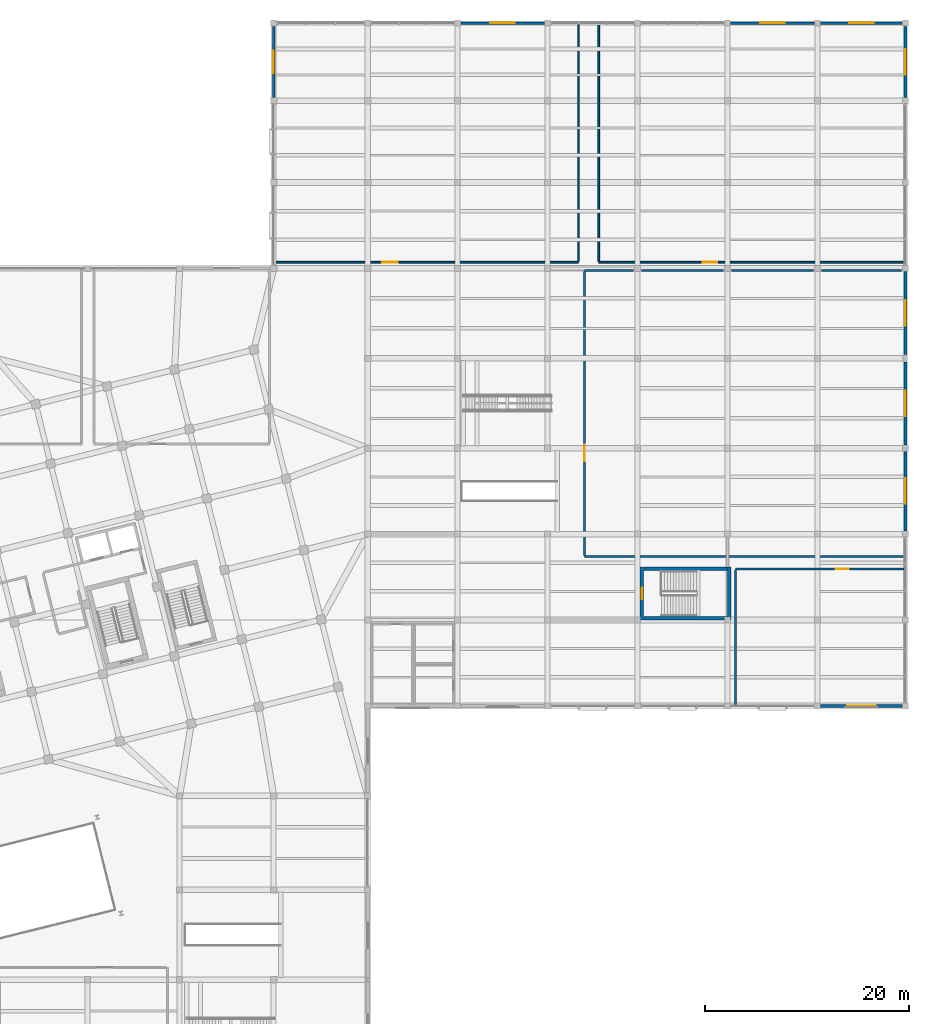
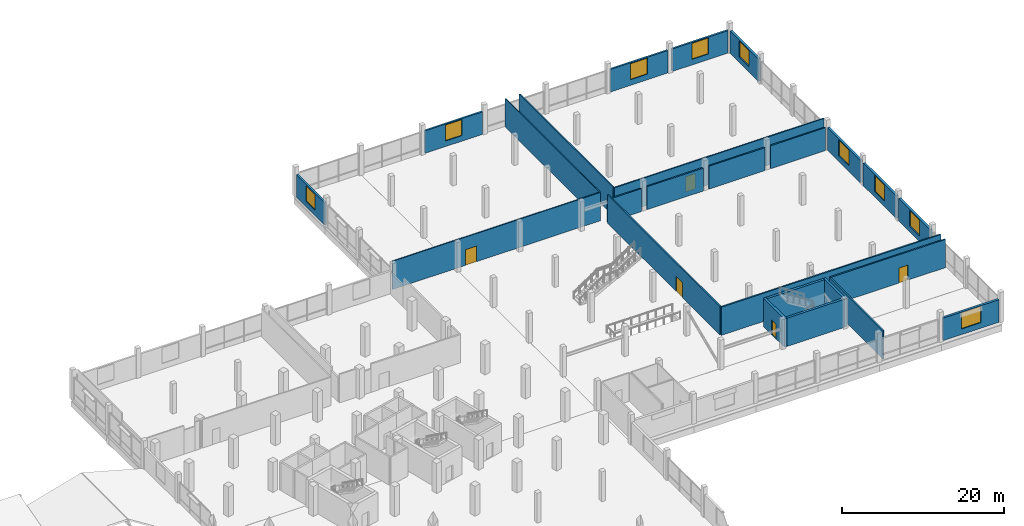
# One storey, part 69 of 77: 25 walls, 9 windows, 5 doors, 14 openings.
"""IFC4 building model written with IfcOpenShell, lengths in metres."""

from ifc_helpers import new_model, si_unit, direction, frame, frame_2d, origin, place, context, subcontext, project, spatial, rectangle, extrude, material, layer, layer_set, type_object, element, fill, save


model = new_model("IFC4")

# Units and contexts
model_context = context("Model", 3, precision=1e-05, world=origin(), true_north=direction((0.0, 1.0)))
body_context = subcontext(model_context, "Body", "Model", "MODEL_VIEW")
ifc_project = project(units=[si_unit("LENGTHUNIT", "METRE"), si_unit("AREAUNIT", "SQUARE_METRE"), si_unit("VOLUMEUNIT", "CUBIC_METRE"), si_unit("PLANEANGLEUNIT", "RADIAN"), si_unit("MASSUNIT", "GRAM", prefix="KILO")], contexts=[model_context])

# Site, building, storey
site_placement = place(None, origin())
site = spatial("IfcSite", under=ifc_project, at=site_placement, CompositionType="ELEMENT")
building_placement = place(site_placement, origin())
building = spatial("IfcBuilding", under=site, at=building_placement, Name="Meriwether Solvik Hall", CompositionType="ELEMENT")
storey_placement = place(building_placement, frame((0.0, 0.0, 9.89990234375)))
storey = spatial("IfcBuildingStorey", under=building, at=storey_placement, Name="L02", CompositionType="ELEMENT", Elevation=9.89990234375)

# Wall, opening, door
ifc_material_1 = material(Name="Double-Layer Acoustic Gypsum Board", Category="gypsum")
ifc_layer_1 = layer(ifc_material_1, 0.1650390625)
ifc_layer_set_1 = layer_set([ifc_layer_1], Name="Double-Layer Acoustic Gypsum Board")
wall_type_1 = type_object("IfcWallType", Name="WALL-DEM-165", PredefinedType="PARTITIONING", material=ifc_layer_set_1)
wall_1_placement = place(storey_placement, frame((136.800048828125, 93.39990234375, 0.0), z_axis=(0.0, 0.0, 1.0), x_axis=(1.0, 0.0, 0.0)))
wall_1 = element("IfcWall", 1, at=wall_1_placement, inside=storey, type_object=wall_type_1, Name="L02 Interior Partition lib_cat_s", PredefinedType="PARTITIONING", context=body_context, shape_type="SweptSolid", body=[
    extrude(rectangle(XDim=29.849853515625, YDim=0.1650390625, at=frame_2d((14.9248046875, 0.0))), origin(), (0.0, 0.0, 1.0), 4.255126953125),
])
opening_1_placement = place(wall_1_placement, frame((10.15966796875, 0.0, 0.0)))
opening_1 = element("IfcOpeningElement", 2, at=opening_1_placement, cuts=wall_1, Name="Opening D-152", PredefinedType="OPENING", context=body_context, shape_type="SweptSolid", body=[
    extrude(rectangle(XDim=1.449951171875, YDim=2.35009765625, at=frame_2d((0.72509765625, 1.175048828125))), frame((0.0, 0.094482421875, 0.0), z_axis=(0.0, -1.0, 0.0), x_axis=(1.0, 0.0, 0.0)), (0.0, 0.0, 1.0), 0.18896484375),
])
ifc_material_2 = material(Name="Laminated Vision Glass and Solid White Oak Timber", Category="wood")
door_type_1 = type_object("IfcDoorType", Name="DR-CONF-1450", OperationType="DOUBLE_DOOR_SINGLE_SWING", PredefinedType="DOOR", material=ifc_material_2)
door_1_placement = place(opening_1_placement, origin())
door_1 = element("IfcDoor", 3, at=door_1_placement, inside=storey, type_object=door_type_1, Name="Library Cataloging and Acquisitions Office Door", OperationType="DOUBLE_DOOR_SINGLE_SWING", OverallHeight=2.35009765625, OverallWidth=1.449951171875, PredefinedType="DOOR", context=body_context, shape_type="SweptSolid", body=[
    extrude(rectangle(XDim=1.449951171875, YDim=2.35009765625, at=frame_2d((0.72509765625, 1.175048828125))), frame((0.0, 0.02490234375, 0.0), z_axis=(0.0, -1.0, 0.0), x_axis=(1.0, 0.0, 0.0)), (0.0, 0.0, 1.0), 0.050048828125),
])
fill(opening_1, door_1)

# Wall
wall_2_placement = place(storey_placement, frame((136.800048828125, 116.64990234375, 0.0), z_axis=(0.0, 0.0, 1.0), x_axis=(0.0, -1.0, 0.0)))
element("IfcWall", 4, at=wall_2_placement, inside=storey, type_object=wall_type_1, Name="L02 Interior Partition lib_cat_w", PredefinedType="PARTITIONING", context=body_context, shape_type="SweptSolid", body=[
    extrude(rectangle(XDim=23.1298828125, YDim=0.1650390625, at=frame_2d((11.56494140625, 0.0))), origin(), (0.0, 0.0, 1.0), 4.255126953125),
])

# Wall, opening, window
ifc_material_3 = material(Name="Terracotta Cladding on Concrete C40/50", Category="masonry")
ifc_layer_2 = layer(ifc_material_3, 0.2548828125)
ifc_layer_set_2 = layer_set([ifc_layer_2], Name="Terracotta Cladding on Concrete C40/50")
wall_type_2 = type_object("IfcWallType", Name="WALL-EXT-255", PredefinedType="SOLIDWALL", material=ifc_layer_set_2)
wall_3_placement = place(storey_placement, frame((123.31201171875, 116.800048828125, 0.0), z_axis=(0.0, 0.0, 1.0), x_axis=(1.0, 0.0, 0.0)))
wall_3 = element("IfcWall", 5, at=wall_3_placement, inside=storey, type_object=wall_type_2, Name="L02 N Wing Facade Wall XN_14_19", PredefinedType="SOLIDWALL", context=body_context, shape_type="SweptSolid", body=[
    extrude(rectangle(XDim=8.176025390625, YDim=0.2548828125, at=frame_2d((4.087890625, 0.0))), origin(), (0.0, 0.0, 1.0), 3.39501953125),
])
opening_2_placement = place(wall_3_placement, frame((2.887939453125, 0.0, 0.85009765625)))
opening_2 = element("IfcOpeningElement", 6, at=opening_2_placement, cuts=wall_3, Name="Opening WN-105", PredefinedType="OPENING", context=body_context, shape_type="SweptSolid", body=[
    extrude(rectangle(XDim=2.39990234375, YDim=2.39990234375, at=frame_2d((1.199951171875, 1.199951171875))), frame((0.0, 0.139404296875, 0.0), z_axis=(0.0, -1.0, 0.0), x_axis=(1.0, 0.0, 0.0)), (0.0, 0.0, 1.0), 0.27880859375),
])
ifc_material_4 = material(Name="Thermally Broken Anodised Aluminium and Triple Low-E Glass", Category="aluminium")
window_type_1 = type_object("IfcWindowType", Name="WIN-POD-NORTH-240X240", PartitioningType="SINGLE_PANEL", PredefinedType="WINDOW", material=ifc_material_4)
window_1_placement = place(opening_2_placement, origin())
window_1 = element("IfcWindow", 7, at=window_1_placement, inside=storey, type_object=window_type_1, Name="L02 N Window XN_14_19", OverallHeight=2.39990234375, OverallWidth=2.39990234375, PartitioningType="SINGLE_PANEL", PredefinedType="WINDOW", context=body_context, shape_type="SweptSolid", body=[
    extrude(rectangle(XDim=2.39990234375, YDim=2.39990234375, at=frame_2d((1.199951171875, 1.199951171875))), frame((0.0, 0.030029296875, 0.0), z_axis=(0.0, -1.0, 0.0), x_axis=(1.0, 0.0, 0.0)), (0.0, 0.0, 1.0), 0.06005859375),
])
fill(opening_2, window_1)

wall_4_placement = place(storey_placement, frame((149.7119140625, 116.800048828125, 0.0), z_axis=(0.0, 0.0, 1.0), x_axis=(1.0, 0.0, 0.0)))
wall_4 = element("IfcWall", 8, at=wall_4_placement, inside=storey, type_object=wall_type_2, Name="L02 N Wing Facade Wall XN_17_22", PredefinedType="SOLIDWALL", context=body_context, shape_type="SweptSolid", body=[
    extrude(rectangle(XDim=8.176025390625, YDim=0.2548828125, at=frame_2d((4.087890625, 0.0))), origin(), (0.0, 0.0, 1.0), 3.39501953125),
])
opening_3_placement = place(wall_4_placement, frame((2.887939453125, 0.0, 0.85009765625)))
opening_3 = element("IfcOpeningElement", 9, at=opening_3_placement, cuts=wall_4, Name="Opening WN-105", PredefinedType="OPENING", context=body_context, shape_type="SweptSolid", body=[
    extrude(rectangle(XDim=2.39990234375, YDim=2.39990234375, at=frame_2d((1.199951171875, 1.199951171875))), frame((0.0, 0.139404296875, 0.0), z_axis=(0.0, -1.0, 0.0), x_axis=(1.0, 0.0, 0.0)), (0.0, 0.0, 1.0), 0.27880859375),
])
window_2_placement = place(opening_3_placement, origin())
window_2 = element("IfcWindow", 10, at=window_2_placement, inside=storey, type_object=window_type_1, Name="L02 N Window XN_17_22", OverallHeight=2.39990234375, OverallWidth=2.39990234375, PartitioningType="SINGLE_PANEL", PredefinedType="WINDOW", context=body_context, shape_type="SweptSolid", body=[
    extrude(rectangle(XDim=2.39990234375, YDim=2.39990234375, at=frame_2d((1.199951171875, 1.199951171875))), frame((0.0, 0.030029296875, 0.0), z_axis=(0.0, -1.0, 0.0), x_axis=(1.0, 0.0, 0.0)), (0.0, 0.0, 1.0), 0.06005859375),
])
fill(opening_3, window_2)

wall_5_placement = place(storey_placement, frame((158.511962890625, 116.800048828125, 0.0), z_axis=(0.0, 0.0, 1.0), x_axis=(1.0, 0.0, 0.0)))
wall_5 = element("IfcWall", 11, at=wall_5_placement, inside=storey, type_object=wall_type_2, Name="L02 N Wing Facade Wall XN_18_23", PredefinedType="SOLIDWALL", context=body_context, shape_type="SweptSolid", body=[
    extrude(rectangle(XDim=7.97607421875, YDim=0.2548828125, at=frame_2d((3.988037109375, 0.0))), origin(), (0.0, 0.0, 1.0), 3.39501953125),
])
opening_4_placement = place(wall_5_placement, frame((2.7880859375, 0.0, 0.85009765625)))
opening_4 = element("IfcOpeningElement", 12, at=opening_4_placement, cuts=wall_5, Name="Opening WN-105", PredefinedType="OPENING", context=body_context, shape_type="SweptSolid", body=[
    extrude(rectangle(XDim=2.39990234375, YDim=2.39990234375, at=frame_2d((1.199951171875, 1.199951171875))), frame((0.0, 0.139404296875, 0.0), z_axis=(0.0, -1.0, 0.0), x_axis=(1.0, 0.0, 0.0)), (0.0, 0.0, 1.0), 0.27880859375),
])
window_3_placement = place(opening_4_placement, origin())
window_3 = element("IfcWindow", 13, at=window_3_placement, inside=storey, type_object=window_type_1, Name="L02 N Window XN_18_23", OverallHeight=2.39990234375, OverallWidth=2.39990234375, PartitioningType="SINGLE_PANEL", PredefinedType="WINDOW", context=body_context, shape_type="SweptSolid", body=[
    extrude(rectangle(XDim=2.39990234375, YDim=2.39990234375, at=frame_2d((1.199951171875, 1.199951171875))), frame((0.0, 0.030029296875, 0.0), z_axis=(0.0, -1.0, 0.0), x_axis=(1.0, 0.0, 0.0)), (0.0, 0.0, 1.0), 0.06005859375),
])
fill(opening_4, window_3)

wall_6_placement = place(storey_placement, frame((105.0, 109.511962890625, 0.0), z_axis=(0.0, 0.0, 1.0), x_axis=(0.0, 1.0, 0.0)))
wall_6 = element("IfcWall", 14, at=wall_6_placement, inside=storey, type_object=wall_type_2, Name="L02 W Wing Facade Wall Y12_13_36", PredefinedType="SOLIDWALL", context=body_context, shape_type="SweptSolid", body=[
    extrude(rectangle(XDim=6.97607421875, YDim=0.2548828125, at=frame_2d((3.488037109375, 0.0))), origin(), (0.0, 0.0, 1.0), 3.39501953125),
])
opening_5_placement = place(wall_6_placement, frame((2.387939453125, 0.0, 0.85009765625)))
opening_5 = element("IfcOpeningElement", 15, at=opening_5_placement, cuts=wall_6, Name="Opening WN-175", PredefinedType="OPENING", context=body_context, shape_type="SweptSolid", body=[
    extrude(rectangle(XDim=2.199951171875, YDim=2.300048828125, at=frame_2d((1.10009765625, 1.14990234375))), frame((0.0, 0.139404296875, 0.0), z_axis=(0.0, -1.0, 0.0), x_axis=(1.0, 0.0, 0.0)), (0.0, 0.0, 1.0), 0.27880859375),
])
ifc_material_5 = material(Name="Thermally Broken Anodised Aluminium and Triple Low-E Glass", Category="aluminium")
window_type_2 = type_object("IfcWindowType", Name="WIN-POD-WEST-220X230", PartitioningType="SINGLE_PANEL", PredefinedType="WINDOW", material=ifc_material_5)
window_4_placement = place(opening_5_placement, origin())
window_4 = element("IfcWindow", 16, at=window_4_placement, inside=storey, type_object=window_type_2, Name="L02 W Window Y12_13_36", OverallHeight=2.300048828125, OverallWidth=2.199951171875, PartitioningType="SINGLE_PANEL", PredefinedType="WINDOW", context=body_context, shape_type="SweptSolid", body=[
    extrude(rectangle(XDim=2.199951171875, YDim=2.300048828125, at=frame_2d((1.10009765625, 1.14990234375))), frame((0.0, 0.030029296875, 0.0), z_axis=(0.0, -1.0, 0.0), x_axis=(1.0, 0.0, 0.0)), (0.0, 0.0, 1.0), 0.06005859375),
])
fill(opening_5, window_4)

ifc_material_6 = material(Name="Concrete C40/50 Precast", Category="concrete")
ifc_layer_3 = layer(ifc_material_6, 0.31494140625)
ifc_layer_set_3 = layer_set([ifc_layer_3], Name="Concrete C40/50 Precast")
wall_type_3 = type_object("IfcWallType", Name="WALL-EXT-315", PredefinedType="SOLIDWALL", material=ifc_layer_set_3)
wall_7_placement = place(storey_placement, frame((166.488037109375, 50.0, 0.0), z_axis=(0.0, 0.0, 1.0), x_axis=(-1.0, 0.0, 0.0)))
wall_7 = element("IfcWall", 17, at=wall_7_placement, inside=storey, type_object=wall_type_3, Name="L02 S Wing Facade Wall XF_18_11", PredefinedType="SOLIDWALL", context=body_context, shape_type="SweptSolid", body=[
    extrude(rectangle(XDim=7.97607421875, YDim=0.31494140625, at=frame_2d((3.988037109375, 0.0))), origin(), (0.0, 0.0, 1.0), 3.39501953125),
])
opening_6_placement = place(wall_7_placement, frame((2.587890625, 0.0, 0.85009765625)))
opening_6 = element("IfcOpeningElement", 18, at=opening_6_placement, cuts=wall_7, Name="Opening WN-165", PredefinedType="OPENING", context=body_context, shape_type="SweptSolid", body=[
    extrude(rectangle(XDim=2.800048828125, YDim=2.449951171875, at=frame_2d((1.39990234375, 1.22509765625))), frame((0.0, 0.16943359375, 0.0), z_axis=(0.0, -1.0, 0.0), x_axis=(1.0, 0.0, 0.0)), (0.0, 0.0, 1.0), 0.3388671875),
])
ifc_material_7 = material(Name="Thermally Broken Anodised Aluminium and Triple Low-E Glass", Category="aluminium")
window_type_3 = type_object("IfcWindowType", Name="WIN-POD-SOUTH-280X245", PartitioningType="SINGLE_PANEL", PredefinedType="WINDOW", material=ifc_material_7)
window_5_placement = place(opening_6_placement, origin())
window_5 = element("IfcWindow", 19, at=window_5_placement, inside=storey, type_object=window_type_3, Name="L02 S Window XF_18_11", OverallHeight=2.449951171875, OverallWidth=2.800048828125, PartitioningType="SINGLE_PANEL", PredefinedType="WINDOW", context=body_context, shape_type="SweptSolid", body=[
    extrude(rectangle(XDim=2.800048828125, YDim=2.449951171875, at=frame_2d((1.39990234375, 1.22509765625))), frame((0.0, 0.030029296875, 0.0), z_axis=(0.0, -1.0, 0.0), x_axis=(1.0, 0.0, 0.0)), (0.0, 0.0, 1.0), 0.06005859375),
])
fill(opening_6, window_5)

wall_8_placement = place(storey_placement, frame((166.800048828125, 74.887939453125, 0.0), z_axis=(0.0, 0.0, 1.0), x_axis=(0.0, -1.0, 0.0)))
wall_8 = element("IfcWall", 20, at=wall_8_placement, inside=storey, type_object=wall_type_3, Name="L02 E Wing Facade Wall Y19_8_44", PredefinedType="SOLIDWALL", context=body_context, shape_type="SweptSolid", body=[
    extrude(rectangle(XDim=7.77587890625, YDim=0.31494140625, at=frame_2d((3.887939453125, 0.0))), origin(), (0.0, 0.0, 1.0), 3.39501953125),
])
opening_7_placement = place(wall_8_placement, frame((2.637939453125, 0.0, 0.85009765625)))
opening_7 = element("IfcOpeningElement", 21, at=opening_7_placement, cuts=wall_8, Name="Opening WN-144", PredefinedType="OPENING", context=body_context, shape_type="SweptSolid", body=[
    extrude(rectangle(XDim=2.5, YDim=2.39990234375, at=frame_2d((1.25, 1.199951171875))), frame((0.0, 0.16943359375, 0.0), z_axis=(0.0, -1.0, 0.0), x_axis=(1.0, 0.0, 0.0)), (0.0, 0.0, 1.0), 0.3388671875),
])
ifc_material_8 = material(Name="Thermally Broken Anodised Aluminium and Triple Low-E Glass", Category="aluminium")
window_type_4 = type_object("IfcWindowType", Name="WIN-POD-EAST-250X240", PartitioningType="SINGLE_PANEL", PredefinedType="WINDOW", material=ifc_material_8)
window_6_placement = place(opening_7_placement, origin())
window_6 = element("IfcWindow", 22, at=window_6_placement, inside=storey, type_object=window_type_4, Name="L02 E Window Y19_8_44", OverallHeight=2.39990234375, OverallWidth=2.5, PartitioningType="SINGLE_PANEL", PredefinedType="WINDOW", context=body_context, shape_type="SweptSolid", body=[
    extrude(rectangle(XDim=2.5, YDim=2.39990234375, at=frame_2d((1.25, 1.199951171875))), frame((0.0, 0.030029296875, 0.0), z_axis=(0.0, -1.0, 0.0), x_axis=(1.0, 0.0, 0.0)), (0.0, 0.0, 1.0), 0.06005859375),
])
fill(opening_7, window_6)

wall_9_placement = place(storey_placement, frame((166.800048828125, 83.637939453125, 0.0), z_axis=(0.0, 0.0, 1.0), x_axis=(0.0, -1.0, 0.0)))
wall_9 = element("IfcWall", 23, at=wall_9_placement, inside=storey, type_object=wall_type_3, Name="L02 E Wing Facade Wall Y19_9_45", PredefinedType="SOLIDWALL", context=body_context, shape_type="SweptSolid", body=[
    extrude(rectangle(XDim=8.1259765625, YDim=0.31494140625, at=frame_2d((4.06298828125, 0.0))), origin(), (0.0, 0.0, 1.0), 3.39501953125),
])
opening_8_placement = place(wall_9_placement, frame((2.81298828125, 0.0, 0.85009765625)))
opening_8 = element("IfcOpeningElement", 24, at=opening_8_placement, cuts=wall_9, Name="Opening WN-144", PredefinedType="OPENING", context=body_context, shape_type="SweptSolid", body=[
    extrude(rectangle(XDim=2.5, YDim=2.39990234375, at=frame_2d((1.25, 1.199951171875))), frame((0.0, 0.16943359375, 0.0), z_axis=(0.0, -1.0, 0.0), x_axis=(1.0, 0.0, 0.0)), (0.0, 0.0, 1.0), 0.3388671875),
])
window_7_placement = place(opening_8_placement, origin())
window_7 = element("IfcWindow", 25, at=window_7_placement, inside=storey, type_object=window_type_4, Name="L02 E Window Y19_9_45", OverallHeight=2.39990234375, OverallWidth=2.5, PartitioningType="SINGLE_PANEL", PredefinedType="WINDOW", context=body_context, shape_type="SweptSolid", body=[
    extrude(rectangle(XDim=2.5, YDim=2.39990234375, at=frame_2d((1.25, 1.199951171875))), frame((0.0, 0.030029296875, 0.0), z_axis=(0.0, -1.0, 0.0), x_axis=(1.0, 0.0, 0.0)), (0.0, 0.0, 1.0), 0.06005859375),
])
fill(opening_8, window_7)

wall_10_placement = place(storey_placement, frame((166.800048828125, 92.488037109375, 0.0), z_axis=(0.0, 0.0, 1.0), x_axis=(0.0, -1.0, 0.0)))
wall_10 = element("IfcWall", 26, at=wall_10_placement, inside=storey, type_object=wall_type_3, Name="L02 E Wing Facade Wall Y19_10_46", PredefinedType="SOLIDWALL", context=body_context, shape_type="SweptSolid", body=[
    extrude(rectangle(XDim=8.1259765625, YDim=0.31494140625, at=frame_2d((4.06298828125, 0.0))), origin(), (0.0, 0.0, 1.0), 3.39501953125),
])
opening_9_placement = place(wall_10_placement, frame((2.81298828125, 0.0, 0.85009765625)))
opening_9 = element("IfcOpeningElement", 27, at=opening_9_placement, cuts=wall_10, Name="Opening WN-144", PredefinedType="OPENING", context=body_context, shape_type="SweptSolid", body=[
    extrude(rectangle(XDim=2.5, YDim=2.39990234375, at=frame_2d((1.25, 1.199951171875))), frame((0.0, 0.16943359375, 0.0), z_axis=(0.0, -1.0, 0.0), x_axis=(1.0, 0.0, 0.0)), (0.0, 0.0, 1.0), 0.3388671875),
])
window_8_placement = place(opening_9_placement, origin())
window_8 = element("IfcWindow", 28, at=window_8_placement, inside=storey, type_object=window_type_4, Name="L02 E Window Y19_10_46", OverallHeight=2.39990234375, OverallWidth=2.5, PartitioningType="SINGLE_PANEL", PredefinedType="WINDOW", context=body_context, shape_type="SweptSolid", body=[
    extrude(rectangle(XDim=2.5, YDim=2.39990234375, at=frame_2d((1.25, 1.199951171875))), frame((0.0, 0.030029296875, 0.0), z_axis=(0.0, -1.0, 0.0), x_axis=(1.0, 0.0, 0.0)), (0.0, 0.0, 1.0), 0.06005859375),
])
fill(opening_9, window_8)

wall_11_placement = place(storey_placement, frame((166.800048828125, 116.488037109375, 0.0), z_axis=(0.0, 0.0, 1.0), x_axis=(0.0, -1.0, 0.0)))
wall_11 = element("IfcWall", 29, at=wall_11_placement, inside=storey, type_object=wall_type_3, Name="L02 E Wing Facade Wall Y19_13_49", PredefinedType="SOLIDWALL", context=body_context, shape_type="SweptSolid", body=[
    extrude(rectangle(XDim=6.97607421875, YDim=0.31494140625, at=frame_2d((3.488037109375, 0.0))), origin(), (0.0, 0.0, 1.0), 3.39501953125),
])
opening_10_placement = place(wall_11_placement, frame((2.238037109375, 0.0, 0.85009765625)))
opening_10 = element("IfcOpeningElement", 30, at=opening_10_placement, cuts=wall_11, Name="Opening WN-144", PredefinedType="OPENING", context=body_context, shape_type="SweptSolid", body=[
    extrude(rectangle(XDim=2.5, YDim=2.39990234375, at=frame_2d((1.25, 1.199951171875))), frame((0.0, 0.16943359375, 0.0), z_axis=(0.0, -1.0, 0.0), x_axis=(1.0, 0.0, 0.0)), (0.0, 0.0, 1.0), 0.3388671875),
])
window_9_placement = place(opening_10_placement, origin())
window_9 = element("IfcWindow", 31, at=window_9_placement, inside=storey, type_object=window_type_4, Name="L02 E Window Y19_13_49", OverallHeight=2.39990234375, OverallWidth=2.5, PartitioningType="SINGLE_PANEL", PredefinedType="WINDOW", context=body_context, shape_type="SweptSolid", body=[
    extrude(rectangle(XDim=2.5, YDim=2.39990234375, at=frame_2d((1.25, 1.199951171875))), frame((0.0, 0.030029296875, 0.0), z_axis=(0.0, -1.0, 0.0), x_axis=(1.0, 0.0, 0.0)), (0.0, 0.0, 1.0), 0.06005859375),
])
fill(opening_10, window_9)

# Walls
ifc_material_9 = material(Name="Fire-Rated Type X Gypsum Board", Category="gypsum")
ifc_layer_4 = layer(ifc_material_9, 0.199951171875)
ifc_layer_set_4 = layer_set([ifc_layer_4], Name="Fire-Rated Type X Gypsum Board")
wall_type_4 = type_object("IfcWallType", Name="WALL-FIRE-200", PredefinedType="STANDARD", material=ifc_layer_set_4)
wall_12_placement = place(storey_placement, frame((135.39990234375, 64.60009765625, 0.0), z_axis=(0.0, 0.0, 1.0), x_axis=(1.0, 0.0, 0.0)))
element("IfcWall", 32, at=wall_12_placement, inside=storey, type_object=wall_type_4, Name="L02 Interior Partition lib_stacks_s", PredefinedType="STANDARD", context=body_context, shape_type="SweptSolid", body=[
    extrude(rectangle(XDim=31.25, YDim=0.199951171875, at=frame_2d((15.625, 0.0))), origin(), (0.0, 0.0, 1.0), 4.255126953125),
])
wall_13_placement = place(storey_placement, frame((166.410400390625, 92.60009765625, 0.0), z_axis=(0.0, 0.0, 1.0), x_axis=(-1.0, 0.0, 0.0)))
element("IfcWall", 33, at=wall_13_placement, inside=storey, type_object=wall_type_4, Name="L02 Interior Partition lib_stacks_n", PredefinedType="STANDARD", context=body_context, shape_type="SweptSolid", body=[
    extrude(rectangle(XDim=7.82080078125, YDim=0.199951171875, at=frame_2d((3.910400390625, 0.0))), origin(), (0.0, 0.0, 1.0), 3.455078125),
])
wall_14_placement = place(storey_placement, frame((157.810302734375, 92.60009765625, 0.0), z_axis=(0.0, 0.0, 1.0), x_axis=(-1.0, 0.0, 0.0)))
element("IfcWall", 34, at=wall_14_placement, inside=storey, type_object=wall_type_4, Name="L02 Interior Partition lib_stacks_n_s2", PredefinedType="STANDARD", context=body_context, shape_type="SweptSolid", body=[
    extrude(rectangle(XDim=8.020751953125, YDim=0.199951171875, at=frame_2d((4.01025390625, 0.0))), origin(), (0.0, 0.0, 1.0), 3.455078125),
])
wall_15_placement = place(storey_placement, frame((149.010498046875, 92.60009765625, 0.0), z_axis=(0.0, 0.0, 1.0), x_axis=(-1.0, 0.0, 0.0)))
element("IfcWall", 35, at=wall_15_placement, inside=storey, type_object=wall_type_4, Name="L02 Interior Partition lib_stacks_n_s3", PredefinedType="STANDARD", context=body_context, shape_type="SweptSolid", body=[
    extrude(rectangle(XDim=8.02099609375, YDim=0.199951171875, at=frame_2d((4.010498046875, 0.0))), origin(), (0.0, 0.0, 1.0), 3.455078125),
])
wall_16_placement = place(storey_placement, frame((140.21044921875, 92.60009765625, 0.0), z_axis=(0.0, 0.0, 1.0), x_axis=(-1.0, 0.0, 0.0)))
element("IfcWall", 36, at=wall_16_placement, inside=storey, type_object=wall_type_4, Name="L02 Interior Partition lib_stacks_n_s4", PredefinedType="STANDARD", context=body_context, shape_type="SweptSolid", body=[
    extrude(rectangle(XDim=4.810546875, YDim=0.199951171875, at=frame_2d((2.4052734375, 0.0))), origin(), (0.0, 0.0, 1.0), 3.455078125),
])

# Wall, opening, door
wall_17_placement = place(storey_placement, frame((135.39990234375, 64.719970703125, 0.0), z_axis=(0.0, 0.0, 1.0), x_axis=(0.0, 1.0, 0.0)))
wall_17 = element("IfcWall", 37, at=wall_17_placement, inside=storey, type_object=wall_type_4, Name="L02 Interior Partition lib_stacks_w", PredefinedType="STANDARD", context=body_context, shape_type="SweptSolid", body=[
    extrude(rectangle(XDim=27.760009765625, YDim=0.199951171875, at=frame_2d((13.8798828125, 0.0))), origin(), (0.0, 0.0, 1.0), 4.255126953125),
])
opening_11_placement = place(wall_17_placement, frame((9.22998046875, 0.0, 0.0)))
opening_11 = element("IfcOpeningElement", 38, at=opening_11_placement, cuts=wall_17, Name="Opening D-144", PredefinedType="OPENING", context=body_context, shape_type="SweptSolid", body=[
    extrude(rectangle(XDim=1.60009765625, YDim=2.25, at=frame_2d((0.800048828125, 1.125))), frame((0.0, 0.11181640625, 0.0), z_axis=(0.0, -1.0, 0.0), x_axis=(1.0, 0.0, 0.0)), (0.0, 0.0, 1.0), 0.223876953125),
])
ifc_material_10 = material(Name="Steel A36 Galvanised", Category="steel")
door_type_2 = type_object("IfcDoorType", Name="DR-FD60-1600", OperationType="DOUBLE_DOOR_SINGLE_SWING", PredefinedType="DOOR", material=ifc_material_10)
door_2_placement = place(opening_11_placement, origin())
door_2 = element("IfcDoor", 39, at=door_2_placement, inside=storey, type_object=door_type_2, Name="Library Book Stacks Door", OperationType="DOUBLE_DOOR_SINGLE_SWING", OverallHeight=2.25, OverallWidth=1.60009765625, PredefinedType="DOOR", context=body_context, shape_type="SweptSolid", body=[
    extrude(rectangle(XDim=1.60009765625, YDim=2.25, at=frame_2d((0.800048828125, 1.125))), frame((0.0, 0.02490234375, 0.0), z_axis=(0.0, -1.0, 0.0), x_axis=(1.0, 0.0, 0.0)), (0.0, 0.0, 1.0), 0.050048828125),
])
fill(opening_11, door_2)

wall_18_placement = place(storey_placement, frame((166.64990234375, 63.39990234375, 0.0), z_axis=(0.0, 0.0, 1.0), x_axis=(-1.0, 0.0, 0.0)))
wall_18 = element("IfcWall", 40, at=wall_18_placement, inside=storey, type_object=wall_type_4, Name="L02 Interior Partition spec_coll_n", PredefinedType="STANDARD", context=body_context, shape_type="SweptSolid", body=[
    extrude(rectangle(XDim=16.449951171875, YDim=0.199951171875, at=frame_2d((8.22509765625, 0.0))), origin(), (0.0, 0.0, 1.0), 4.255126953125),
])
opening_12_placement = place(wall_18_placement, frame((5.379638671875, 0.0, 0.0)))
opening_12 = element("IfcOpeningElement", 41, at=opening_12_placement, cuts=wall_18, Name="Opening D-162", PredefinedType="OPENING", context=body_context, shape_type="SweptSolid", body=[
    extrude(rectangle(XDim=1.300048828125, YDim=2.25, at=frame_2d((0.64990234375, 1.125))), frame((0.0, 0.11181640625, 0.0), z_axis=(0.0, -1.0, 0.0), x_axis=(1.0, 0.0, 0.0)), (0.0, 0.0, 1.0), 0.223876953125),
])
ifc_material_11 = material(Name="Steel A36 Galvanised", Category="steel")
door_type_3 = type_object("IfcDoorType", Name="DR-FD60-1300L", OperationType="SINGLE_SWING_LEFT", PredefinedType="DOOR", material=ifc_material_11)
door_3_placement = place(opening_12_placement, origin())
door_3 = element("IfcDoor", 42, at=door_3_placement, inside=storey, type_object=door_type_3, Name="Library Special Collections Vault Door", OperationType="SINGLE_SWING_LEFT", OverallHeight=2.25, OverallWidth=1.300048828125, PredefinedType="DOOR", context=body_context, shape_type="SweptSolid", body=[
    extrude(rectangle(XDim=1.300048828125, YDim=2.25, at=frame_2d((0.64990234375, 1.125))), frame((0.0, 0.02490234375, 0.0), z_axis=(0.0, -1.0, 0.0), x_axis=(1.0, 0.0, 0.0)), (0.0, 0.0, 1.0), 0.050048828125),
])
fill(opening_12, door_3)

# Wall
wall_19_placement = place(storey_placement, frame((150.199951171875, 63.280029296875, 0.0), z_axis=(0.0, 0.0, 1.0), x_axis=(0.0, -1.0, 0.0)))
element("IfcWall", 43, at=wall_19_placement, inside=storey, type_object=wall_type_4, Name="L02 Interior Partition spec_coll_w", PredefinedType="STANDARD", context=body_context, shape_type="SweptSolid", body=[
    extrude(rectangle(XDim=13.130126953125, YDim=0.199951171875, at=frame_2d((6.56494140625, 0.0))), origin(), (0.0, 0.0, 1.0), 4.255126953125),
])

# Wall, opening, door
ifc_material_12 = material(Name="Gypsum Board Partition", Category="gypsum")
ifc_layer_5 = layer(ifc_material_12, 0.14990234375)
ifc_layer_set_5 = layer_set([ifc_layer_5], Name="Gypsum Board Partition")
wall_type_5 = type_object("IfcWallType", Name="WALL-PART-150", PredefinedType="PARTITIONING", material=ifc_layer_set_5)
wall_20_placement = place(storey_placement, frame((105.199951171875, 93.39990234375, 0.0), z_axis=(0.0, 0.0, 1.0), x_axis=(1.0, 0.0, 0.0)))
wall_20 = element("IfcWall", 44, at=wall_20_placement, inside=storey, type_object=wall_type_5, Name="L02 Interior Partition yth_media_s", PredefinedType="PARTITIONING", context=body_context, shape_type="SweptSolid", body=[
    extrude(rectangle(XDim=29.60009765625, YDim=0.14990234375, at=frame_2d((14.800048828125, 0.0))), origin(), (0.0, 0.0, 1.0), 4.255126953125),
])
opening_13_placement = place(wall_20_placement, frame((10.409912109375, 0.0, 0.0)))
opening_13 = element("IfcOpeningElement", 45, at=opening_13_placement, cuts=wall_20, Name="Opening D-169", PredefinedType="OPENING", context=body_context, shape_type="SweptSolid", body=[
    extrude(rectangle(XDim=1.550048828125, YDim=2.35009765625, at=frame_2d((0.77490234375, 1.175048828125))), frame((0.0, 0.0869140625, 0.0), z_axis=(0.0, -1.0, 0.0), x_axis=(1.0, 0.0, 0.0)), (0.0, 0.0, 1.0), 0.173828125),
])
ifc_material_13 = material(Name="Laminated Vision Glass and Solid White Oak Timber", Category="wood")
door_type_4 = type_object("IfcDoorType", Name="DR-MKR-1550", OperationType="DOUBLE_DOOR_SINGLE_SWING", PredefinedType="DOOR", material=ifc_material_13)
door_4_placement = place(opening_13_placement, origin())
door_4 = element("IfcDoor", 46, at=door_4_placement, inside=storey, type_object=door_type_4, Name="Youth Digital Media Lab Door", OperationType="DOUBLE_DOOR_SINGLE_SWING", OverallHeight=2.35009765625, OverallWidth=1.550048828125, PredefinedType="DOOR", context=body_context, shape_type="SweptSolid", body=[
    extrude(rectangle(XDim=1.550048828125, YDim=2.35009765625, at=frame_2d((0.77490234375, 1.175048828125))), frame((0.0, 0.02490234375, 0.0), z_axis=(0.0, -1.0, 0.0), x_axis=(1.0, 0.0, 0.0)), (0.0, 0.0, 1.0), 0.050048828125),
])
fill(opening_13, door_4)

# Wall
wall_21_placement = place(storey_placement, frame((134.800048828125, 93.52001953125, 0.0), z_axis=(0.0, 0.0, 1.0), x_axis=(0.0, 1.0, 0.0)))
element("IfcWall", 47, at=wall_21_placement, inside=storey, type_object=wall_type_5, Name="L02 Interior Partition yth_media_e", PredefinedType="PARTITIONING", context=body_context, shape_type="SweptSolid", body=[
    extrude(rectangle(XDim=23.1298828125, YDim=0.14990234375, at=frame_2d((11.56494140625, 0.0))), origin(), (0.0, 0.0, 1.0), 4.255126953125),
])

# Wall, opening, door
ifc_material_14 = material(Name="Concrete C40/50", Category="concrete")
ifc_layer_6 = layer(ifc_material_14, 0.35009765625)
ifc_layer_set_6 = layer_set([ifc_layer_6], Name="Concrete C40/50")
wall_type_6 = type_object("IfcWallType", Name="WALL-RC-350", PredefinedType="SHEAR", material=ifc_layer_set_6)
wall_22_placement = place(storey_placement, frame((141.02490234375, 63.60009765625, 0.0), z_axis=(0.0, 0.0, 1.0), x_axis=(0.0, -1.0, 0.0)))
wall_22 = element("IfcWall", 48, at=wall_22_placement, inside=storey, type_object=wall_type_6, Name="CORE-5 Shear Wall W (L02)", PredefinedType="SHEAR", context=body_context, shape_type="SweptSolid", body=[
    extrude(rectangle(XDim=5.2001953125, YDim=0.35009765625, at=frame_2d((2.60009765625, 0.0))), origin(), (0.0, 0.0, 1.0), 4.255126953125),
])
opening_14_placement = place(wall_22_placement, frame((2.02490234375, 0.0, 0.0)))
opening_14 = element("IfcOpeningElement", 49, at=opening_14_placement, cuts=wall_22, Name="Opening D-148", PredefinedType="OPENING", context=body_context, shape_type="SweptSolid", body=[
    extrude(rectangle(XDim=1.14990234375, YDim=2.199951171875, at=frame_2d((0.574951171875, 1.10009765625))), frame((0.0, 0.18701171875, 0.0), z_axis=(0.0, -1.0, 0.0), x_axis=(1.0, 0.0, 0.0)), (0.0, 0.0, 1.0), 0.3740234375),
])
ifc_material_15 = material(Name="Steel A36 Galvanised", Category="steel")
door_type_5 = type_object("IfcDoorType", Name="DR-FD90-1150R", OperationType="SINGLE_SWING_RIGHT", PredefinedType="DOOR", material=ifc_material_15)
door_5_placement = place(opening_14_placement, origin())
door_5 = element("IfcDoor", 50, at=door_5_placement, inside=storey, type_object=door_type_5, Name="Stair ST-05 Smokeproof Exit Door (L02)", OperationType="SINGLE_SWING_RIGHT", OverallHeight=2.199951171875, OverallWidth=1.14990234375, PredefinedType="DOOR", context=body_context, shape_type="SweptSolid", body=[
    extrude(rectangle(XDim=1.14990234375, YDim=2.199951171875, at=frame_2d((0.574951171875, 1.10009765625))), frame((0.0, 0.02490234375, 0.0), z_axis=(0.0, -1.0, 0.0), x_axis=(1.0, 0.0, 0.0)), (0.0, 0.0, 1.0), 0.050048828125),
])
fill(opening_14, door_5)

# Walls
wall_23_placement = place(storey_placement, frame((149.574951171875, 58.39990234375, 0.0), z_axis=(0.0, 0.0, 1.0), x_axis=(0.0, 1.0, 0.0)))
element("IfcWall", 51, at=wall_23_placement, inside=storey, type_object=wall_type_6, Name="CORE-5 Shear Wall E (L02)", PredefinedType="SHEAR", context=body_context, shape_type="SweptSolid", body=[
    extrude(rectangle(XDim=5.2001953125, YDim=0.35009765625, at=frame_2d((2.60009765625, 0.0))), origin(), (0.0, 0.0, 1.0), 4.255126953125),
])
for number, where, z_axis, x_axis, name in (
    (52, (141.2099609375, 58.574951171875, 0.0), (0.0, 0.0, 1.0), (1.0, 0.0, 0.0), "CORE-5 Shear Wall S (L02)"),
    (53, (149.389892578125, 63.425048828125, 0.0), (0.0, 0.0, 1.0), (-1.0, 0.0, 0.0), "CORE-5 Shear Wall N (L02)"),
):
    element("IfcWall", number, at=place(storey_placement, frame(where, z_axis=z_axis, x_axis=x_axis)), inside=storey, type_object=wall_type_6, Name=name, PredefinedType="SHEAR", context=body_context, shape_type="SweptSolid", body=[
        extrude(rectangle(XDim=8.179931640625, YDim=0.35009765625, at=frame_2d((4.08984375, 0.0))), origin(), (0.0, 0.0, 1.0), 4.255126953125),
    ])

save(model, "model.ifc")
